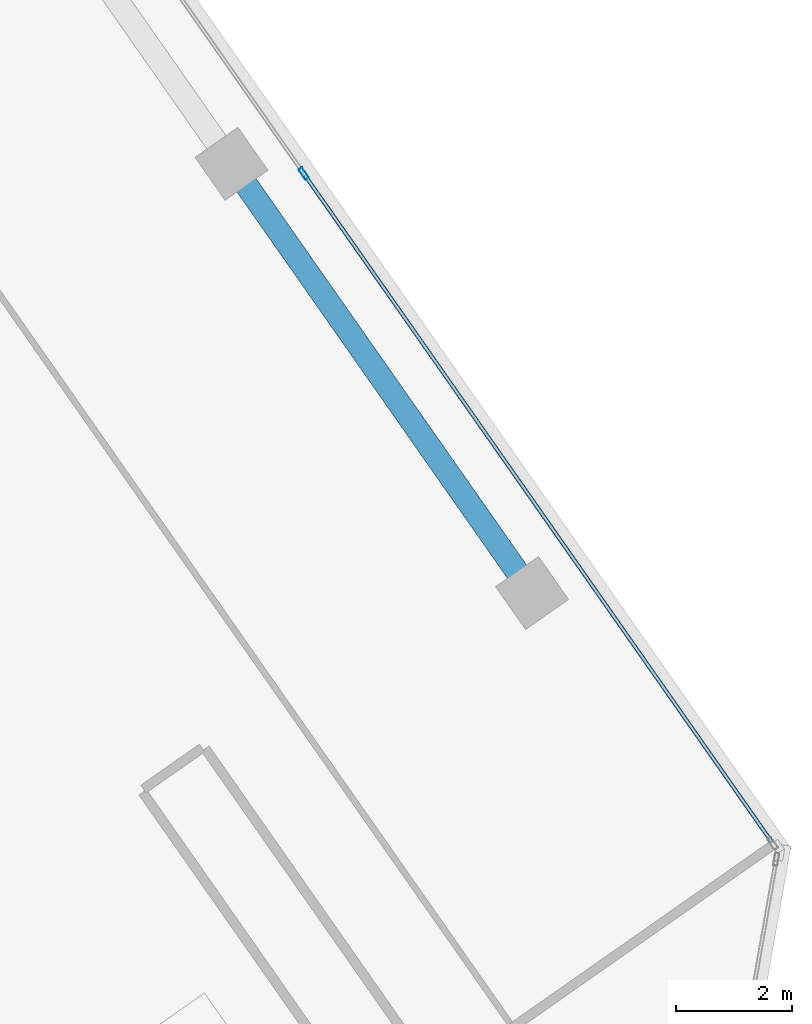
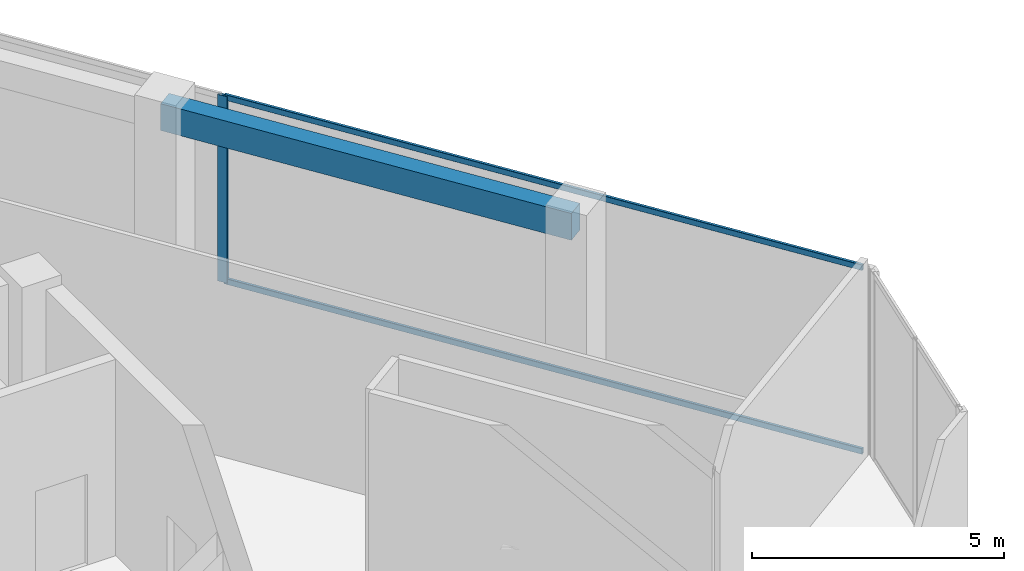
# One storey, part 6 of 16: 3 members, 1 beam, 1 element without a shape of its own.
"""IFC4 building model written with IfcOpenShell, lengths in metres."""

from ifc_helpers import new_model, si_unit, direction, frame, origin, origin_2d, place, context, subcontext, project, spatial, rectangle, hollow_rectangle, extrude, source, transform, mapped, material, material_profile, profile_set, type_object, element, aggregate, save


model = new_model("IFC4")

# Units and contexts
model_context = context("Model", 3, precision=1e-05, world=origin(), true_north=direction((0.0, 1.0)))
body_context = subcontext(model_context, "Body", "Model", "MODEL_VIEW")
ifc_project = project(units=[si_unit("LENGTHUNIT", "METRE"), si_unit("AREAUNIT", "SQUARE_METRE"), si_unit("VOLUMEUNIT", "CUBIC_METRE"), si_unit("PLANEANGLEUNIT", "RADIAN"), si_unit("MASSUNIT", "GRAM", prefix="KILO")], contexts=[model_context])

# Site, building, storey
site_placement = place(None, origin())
site = spatial("IfcSite", under=ifc_project, at=site_placement, CompositionType="ELEMENT")
building_placement = place(site_placement, origin())
building = spatial("IfcBuilding", under=site, at=building_placement, Name="Torre Montelarca", CompositionType="ELEMENT")
storey_placement = place(building_placement, frame((0.0, 0.0, 293.800048828125)))
storey = spatial("IfcBuildingStorey", under=building, at=storey_placement, Name="L66", CompositionType="ELEMENT", Elevation=293.800048828125)

# Beam
ifc_material_1 = material(Name="Concrete C40/50", Category="concrete")
ifc_material_profile_1 = material_profile(ifc_material_1, rectangle(XDim=0.39990234375, YDim=0.64990234375, at=origin_2d()), Name="RCB400X650", Category="concrete")
ifc_profile_set_1 = profile_set([ifc_material_profile_1], Name="Concrete C40/50")
beam_type = type_object("IfcBeamType", Name="BM-SP-RC650-EXT", PredefinedType="SPANDREL", material=ifc_profile_set_1)
shared_shape_1 = source(origin(), body_context, "Body", "SweptSolid", [
    extrude(rectangle(XDim=0.39990234375, YDim=0.64990234375, at=origin_2d()), origin(), (0.0, 0.0, 1.0), 9.0),
])
beam_placement = place(storey_placement, frame((31.902587890625, 43.556640625, 4.43505859375), z_axis=(0.573573395961, -0.819154173185, 0.0), x_axis=(0.819154173185, 0.573573395961, 0.0)))
element("IfcBeam", 1, at=beam_placement, inside=storey, type_object=beam_type, Name="L66 Grid Girder X 18.0-27.0 at Y=47.1", PredefinedType="SPANDREL", context=body_context, shape_type="MappedRepresentation", body=[
    mapped(shared_shape_1, transform((0.0, 0.0, 0.0), scale=1.0)),
])

# Curtain wall, members
ifc_material_2 = material(Name="Insulated low-E laminated glass", Category="glass")
curtain_wall_type = type_object("IfcCurtainWallType", Name="CW-SYS-Z4", PredefinedType="USERDEFINED", material=ifc_material_2)
curtain_wall_placement = place(storey_placement, origin())
curtain_wall = element("IfcCurtainWall", 2, at=curtain_wall_placement, inside=storey, type_object=curtain_wall_type, Name="L66 Curtain Wall Run CW-T3-L66-E08-B1", ObjectType="UNITISED GLAZING", PredefinedType="USERDEFINED")
ifc_material_3 = material(Name="Anodised aluminium AA 6063-T6", Category="aluminium")
ifc_material_profile_2 = material_profile(ifc_material_3, hollow_rectangle(XDim=0.074951171875, YDim=0.219970703125, WallThickness=0.0048828125, InnerFilletRadius=0.0048828125, OuterFilletRadius=0.010009765625, at=origin_2d()), Name="ALU75X220X5", Category="aluminium")
ifc_profile_set_2 = profile_set([ifc_material_profile_2], Name="Anodised aluminium AA 6063-T6")
member_type_1 = type_object("IfcMemberType", Name="CWM-ALU220", PredefinedType="MULLION", material=ifc_profile_set_2)
shared_shape_2 = source(origin(), body_context, "Body", "SweptSolid", [
    extrude(hollow_rectangle(XDim=0.074951171875, YDim=0.219970703125, WallThickness=0.0048828125, InnerFilletRadius=0.0048828125, OuterFilletRadius=0.010009765625, at=origin_2d()), origin(), (0.0, 0.0, 1.0), 4.52001953125),
])
member_1_placement = place(storey_placement, frame((33.143798828125, 43.38818359375, 0.0), z_axis=(0.0, 0.0, 1.0), x_axis=(-0.819155860287, -0.573570986503, 0.0)))
member_1 = element("IfcMember", 3, at=member_1_placement, type_object=member_type_1, Name="CW mullion 2", PredefinedType="MULLION", context=body_context, shape_type="MappedRepresentation", body=[
    mapped(shared_shape_2, transform((0.0, 0.0, 0.0), scale=1.0)),
])
ifc_material_profile_3 = material_profile(ifc_material_3, hollow_rectangle(XDim=0.06494140625, YDim=0.139892578125, WallThickness=0.00390625, InnerFilletRadius=0.00390625, OuterFilletRadius=0.008056640625, at=origin_2d()), Name="ALU65X140X4", Category="aluminium")
ifc_profile_set_3 = profile_set([ifc_material_profile_3], Name="Anodised aluminium AA 6063-T6")
member_type_2 = type_object("IfcMemberType", Name="CWT-ALU140", PredefinedType="USERDEFINED", material=ifc_profile_set_3)
shared_shape_3 = source(origin(), body_context, "Body", "SweptSolid", [
    extrude(hollow_rectangle(XDim=0.06494140625, YDim=0.139892578125, WallThickness=0.00390625, InnerFilletRadius=0.00390625, OuterFilletRadius=0.008056640625, at=origin_2d()), origin(), (0.0, 0.0, 1.0), 13.9716796875),
])
member_2_placement = place(storey_placement, frame((41.178955078125, 31.912353515625, 0.032470703125), z_axis=(-0.573564368919, 0.819160493863, 0.0), x_axis=(-0.819160493863, -0.573564368919, 0.0)))
member_2 = element("IfcMember", 4, at=member_2_placement, type_object=member_type_2, Name="CW transom 1.1", ObjectType="TRANSOM", PredefinedType="USERDEFINED", context=body_context, shape_type="MappedRepresentation", body=[
    mapped(shared_shape_3, transform((0.0, 0.0, 0.0), scale=1.0)),
])
member_3_placement = place(storey_placement, frame((41.178955078125, 31.912353515625, 4.487548828125), z_axis=(-0.573564368919, 0.819160493863, 0.0), x_axis=(-0.819160493863, -0.573564368919, 0.0)))
member_3 = element("IfcMember", 5, at=member_3_placement, type_object=member_type_2, Name="CW transom 1.2", ObjectType="TRANSOM", PredefinedType="USERDEFINED", context=body_context, shape_type="MappedRepresentation", body=[
    mapped(shared_shape_3, transform((0.0, 0.0, 0.0), scale=1.0)),
])
aggregate(curtain_wall, [member_1, member_2, member_3])

save(model, "model.ifc")
